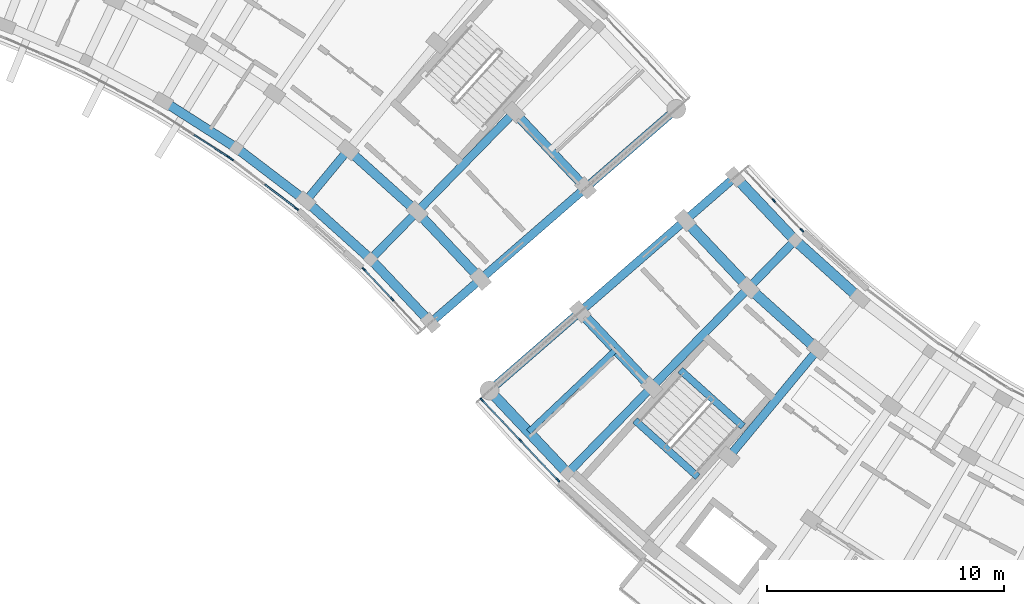
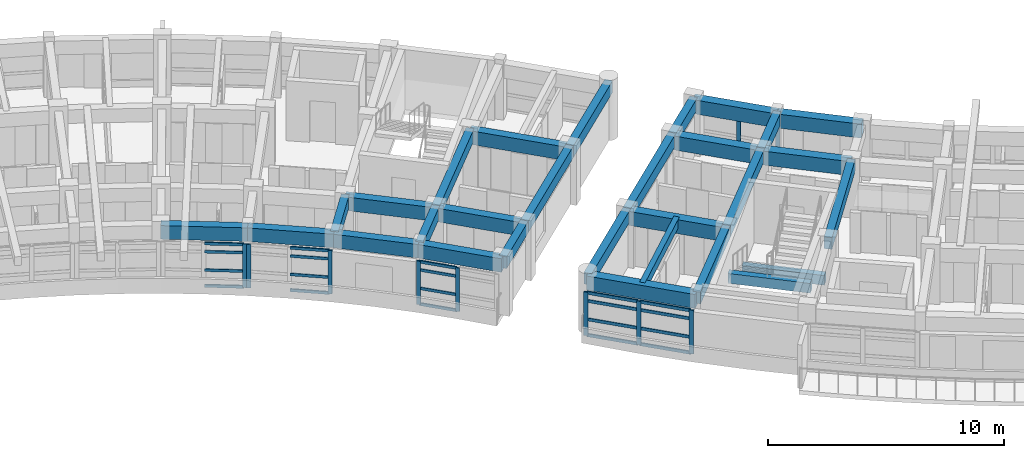
# One storey, part 10 of 55: 30 members, 29 beams, 5 elements without a shape of their own.
"""IFC4 building model written with IfcOpenShell, lengths in metres."""

from ifc_helpers import new_model, si_unit, direction, frame, origin, origin_2d, place, context, subcontext, project, spatial, rectangle, extrude, material, material_profile, profile_set, type_object, element, aggregate, save


model = new_model("IFC4")

# Units and contexts
model_context = context("Model", 3, precision=1e-05, world=origin(), true_north=direction((0.0, 1.0)))
body_context = subcontext(model_context, "Body", "Model", "MODEL_VIEW")
ifc_project = project(units=[si_unit("LENGTHUNIT", "METRE"), si_unit("AREAUNIT", "SQUARE_METRE"), si_unit("VOLUMEUNIT", "CUBIC_METRE"), si_unit("PLANEANGLEUNIT", "RADIAN"), si_unit("MASSUNIT", "GRAM", prefix="KILO")], contexts=[model_context])

# Site, building, storey
site_placement = place(None, origin())
site = spatial("IfcSite", under=ifc_project, at=site_placement, CompositionType="ELEMENT")
building_placement = place(site_placement, origin())
building = spatial("IfcBuilding", under=site, at=building_placement, Name="Zimvara Arc Housing Community", CompositionType="ELEMENT")
storey_placement = place(building_placement, frame((0.0, 0.0, 14.300048828125)))
storey = spatial("IfcBuildingStorey", under=building, at=storey_placement, Name="L04", CompositionType="ELEMENT", Elevation=14.300048828125)

# Beams
ifc_material_1 = material(Name="Concrete C40/50", Category="concrete")
ifc_material_profile_1 = material_profile(ifc_material_1, rectangle(XDim=0.25, YDim=0.449951171875, at=origin_2d()), Name="RC 250x450")
ifc_profile_set_1 = profile_set([ifc_material_profile_1], Name="Concrete C40/50")
beam_type_1 = type_object("IfcBeamType", Name="BM-RC-250x450", PredefinedType="JOIST", material=ifc_profile_set_1)
beam_1_placement = place(storey_placement, frame((86.88427734375, 72.966552734375, 2.635009765625), z_axis=(-0.727299876429, -0.686319815936, 0.0), x_axis=(0.686319815936, -0.727299876429, 0.0)))
element("IfcBeam", 1, at=beam_1_placement, inside=storey, type_object=beam_type_1, Name="bm:blkC:L04:joist:b0", PredefinedType="JOIST", context=body_context, shape_type="SweptSolid", body=[
    extrude(rectangle(XDim=0.25, YDim=0.449951171875, at=origin_2d()), origin(), (0.0, 0.0, 1.0), 5.075927734375),
])
ifc_material_2 = material(Name="Concrete C40/50", Category="concrete")
ifc_material_profile_2 = material_profile(ifc_material_2, rectangle(XDim=0.300048828125, YDim=0.5, at=origin_2d()), Name="RC 300x500")
ifc_profile_set_2 = profile_set([ifc_material_profile_2], Name="Concrete C40/50")
beam_type_2 = type_object("IfcBeamType", Name="BM-RC-300x500", PredefinedType="BEAM", material=ifc_profile_set_2)
beam_2_placement = place(storey_placement, frame((89.604248046875, 72.100830078125, -0.25), z_axis=(0.743396155404, -0.668851370732, 0.0), x_axis=(0.668851370732, 0.743396155404, 0.0)))
element("IfcBeam", 2, at=beam_2_placement, inside=storey, type_object=beam_type_2, Name="bm:stair_trim:ST-C1:L04:near", PredefinedType="BEAM", context=body_context, shape_type="SweptSolid", body=[
    extrude(rectangle(XDim=0.300048828125, YDim=0.5, at=origin_2d()), origin(), (0.0, 0.0, 1.0), 3.56982421875),
])
beam_3_placement = place(storey_placement, frame((87.68994140625, 69.973388671875, 1.300048828125), z_axis=(0.743362151162, -0.668889162881, 0.0), x_axis=(0.668889162881, 0.743362151162, 0.0)))
element("IfcBeam", 3, at=beam_3_placement, inside=storey, type_object=beam_type_2, Name="bm:stair_trim:ST-C1:L04:mid", PredefinedType="BEAM", context=body_context, shape_type="SweptSolid", body=[
    extrude(rectangle(XDim=0.300048828125, YDim=0.5, at=origin_2d()), origin(), (0.0, 0.0, 1.0), 3.570068359375),
])
ifc_material_3 = material(Name="Concrete C40/50", Category="concrete")
ifc_material_profile_3 = material_profile(ifc_material_3, rectangle(XDim=0.35009765625, YDim=0.60009765625, at=origin_2d()), Name="RC 350x600")
ifc_profile_set_3 = profile_set([ifc_material_profile_3], Name="Concrete C40/50")
beam_type_3 = type_object("IfcBeamType", Name="BM-RC-350x600", PredefinedType="BEAM", material=ifc_profile_set_3)
for number, where, z_axis, x_axis, name in (
    (4, (73.784912109375, 79.245361328125, 2.56005859375), (0.637917412223, 0.770104781951, 0.0), (-0.770104781951, 0.637917412223, 0.0), "bm:blkB:L04:rad:b8:r01"),
    (5, (76.523681640625, 76.781005859375, 2.56005859375), (0.698643013894, 0.71547043205, 0.0), (-0.71547043205, 0.698643013894, 0.0), "bm:blkB:L04:rad:b9:r01"),
):
    element("IfcBeam", number, at=place(storey_placement, frame(where, z_axis=z_axis, x_axis=x_axis)), inside=storey, type_object=beam_type_3, Name=name, PredefinedType="BEAM", context=body_context, shape_type="SweptSolid", body=[
        extrude(rectangle(XDim=0.35009765625, YDim=0.60009765625, at=origin_2d()), origin(), (0.0, 0.0, 1.0), 2.800048828125),
    ])
beam_4_placement = place(storey_placement, frame((78.47998046875, 78.784423828125, 2.56005859375), z_axis=(0.698669844288, 0.715444231707, 0.0), x_axis=(-0.715444231707, 0.698669844288, 0.0)))
element("IfcBeam", 6, at=beam_4_placement, inside=storey, type_object=beam_type_3, Name="bm:blkB:L04:rad:b9:r12", PredefinedType="BEAM", context=body_context, shape_type="SweptSolid", body=[
    extrude(rectangle(XDim=0.35009765625, YDim=0.60009765625, at=origin_2d()), origin(), (0.0, 0.0, 1.0), 5.8798828125),
])
beam_5_placement = place(storey_placement, frame((79.052490234375, 74.101318359375, 2.56005859375), z_axis=(0.754733151583, 0.656031912259, 0.0), x_axis=(-0.656031912259, 0.754733151583, 0.0)))
element("IfcBeam", 7, at=beam_5_placement, inside=storey, type_object=beam_type_3, Name="bm:blkB:L04:rad:b10:r01", PredefinedType="BEAM", context=body_context, shape_type="SweptSolid", body=[
    extrude(rectangle(XDim=0.35009765625, YDim=0.60009765625, at=origin_2d()), origin(), (0.0, 0.0, 1.0), 2.800048828125),
])
beam_6_placement = place(storey_placement, frame((81.165771484375, 75.938232421875, 2.56005859375), z_axis=(0.754692223258, 0.656078995362, 0.0), x_axis=(-0.656078995362, 0.754692223258, 0.0)))
element("IfcBeam", 8, at=beam_6_placement, inside=storey, type_object=beam_type_3, Name="bm:blkB:L04:rad:b10:r12", PredefinedType="BEAM", context=body_context, shape_type="SweptSolid", body=[
    extrude(rectangle(XDim=0.35009765625, YDim=0.60009765625, at=origin_2d()), origin(), (0.0, 0.0, 1.0), 5.8798828125),
])
beam_7_placement = place(storey_placement, frame((85.603271484375, 79.7958984375, 2.56005859375), z_axis=(0.754716217499, 0.656051393599, 0.0), x_axis=(-0.656051393599, 0.754716217499, 0.0)))
element("IfcBeam", 9, at=beam_7_placement, inside=storey, type_object=beam_type_3, Name="bm:blkB:L04:rad:b10:r23", PredefinedType="BEAM", context=body_context, shape_type="SweptSolid", body=[
    extrude(rectangle(XDim=0.35009765625, YDim=0.60009765625, at=origin_2d()), origin(), (0.0, 0.0, 1.0), 5.080078125),
])
beam_8_placement = place(storey_placement, frame((91.927490234375, 80.258544921875, 2.56005859375), z_axis=(-0.754733151583, -0.656031912259, 0.0), x_axis=(0.656031912259, -0.754733151583, 0.0)))
element("IfcBeam", 10, at=beam_8_placement, inside=storey, type_object=beam_type_3, Name="bm:blkC:L04:rad:b0:r01", PredefinedType="BEAM", context=body_context, shape_type="SweptSolid", body=[
    extrude(rectangle(XDim=0.35009765625, YDim=0.60009765625, at=origin_2d()), origin(), (0.0, 0.0, 1.0), 2.800048828125),
])
beam_9_placement = place(storey_placement, frame((89.814208984375, 78.421630859375, 2.56005859375), z_axis=(-0.754692223258, -0.656078995362, 0.0), x_axis=(0.656078995362, -0.754692223258, 0.0)))
element("IfcBeam", 11, at=beam_9_placement, inside=storey, type_object=beam_type_3, Name="bm:blkC:L04:rad:b0:r12", PredefinedType="BEAM", context=body_context, shape_type="SweptSolid", body=[
    extrude(rectangle(XDim=0.35009765625, YDim=0.60009765625, at=origin_2d()), origin(), (0.0, 0.0, 1.0), 5.8798828125),
])
beam_10_placement = place(storey_placement, frame((85.376708984375, 74.56396484375, 2.56005859375), z_axis=(-0.754716217499, -0.656051393599, 0.0), x_axis=(0.656051393599, -0.754716217499, 0.0)))
element("IfcBeam", 12, at=beam_10_placement, inside=storey, type_object=beam_type_3, Name="bm:blkC:L04:rad:b0:r23", PredefinedType="BEAM", context=body_context, shape_type="SweptSolid", body=[
    extrude(rectangle(XDim=0.35009765625, YDim=0.60009765625, at=origin_2d()), origin(), (0.0, 0.0, 1.0), 5.080078125),
])
beam_11_placement = place(storey_placement, frame((94.456298828125, 77.578857421875, 2.56005859375), z_axis=(-0.69868659732, -0.715427871085, 0.0), x_axis=(0.715427871085, -0.69868659732, 0.0)))
element("IfcBeam", 13, at=beam_11_placement, inside=storey, type_object=beam_type_3, Name="bm:blkC:L04:rad:b1:r01", PredefinedType="BEAM", context=body_context, shape_type="SweptSolid", body=[
    extrude(rectangle(XDim=0.35009765625, YDim=0.60009765625, at=origin_2d()), origin(), (0.0, 0.0, 1.0), 2.800048828125),
])
beam_12_placement = place(storey_placement, frame((92.5, 75.57568359375, 2.56005859375), z_axis=(-0.698669844288, -0.715444231707, 0.0), x_axis=(0.715444231707, -0.698669844288, 0.0)))
element("IfcBeam", 14, at=beam_12_placement, inside=storey, type_object=beam_type_3, Name="bm:blkC:L04:rad:b1:r12", PredefinedType="BEAM", context=body_context, shape_type="SweptSolid", body=[
    extrude(rectangle(XDim=0.35009765625, YDim=0.60009765625, at=origin_2d()), origin(), (0.0, 0.0, 1.0), 5.8798828125),
])
beam_13_placement = place(storey_placement, frame((88.391845703125, 71.368896484375, 2.56005859375), z_axis=(-0.698670885014, -0.71544321538, 0.0), x_axis=(0.71544321538, -0.698670885014, 0.0)))
element("IfcBeam", 15, at=beam_13_placement, inside=storey, type_object=beam_type_3, Name="bm:blkC:L04:rad:b1:r23", PredefinedType="BEAM", context=body_context, shape_type="SweptSolid", body=[
    extrude(rectangle(XDim=0.35009765625, YDim=0.60009765625, at=origin_2d()), origin(), (0.0, 0.0, 1.0), 5.080078125),
])
beam_14_placement = place(storey_placement, frame((95.408935546875, 72.958251953125, 2.56005859375), z_axis=(-0.637976362518, -0.770055946583, 0.0), x_axis=(0.770055946583, -0.637976362518, 0.0)))
element("IfcBeam", 16, at=beam_14_placement, inside=storey, type_object=beam_type_3, Name="bm:blkC:L04:rad:b2:r12", PredefinedType="BEAM", context=body_context, shape_type="SweptSolid", body=[
    extrude(rectangle(XDim=0.35009765625, YDim=0.60009765625, at=origin_2d()), origin(), (0.0, 0.0, 1.0), 5.8798828125),
])
ifc_material_4 = material(Name="Concrete C40/50", Category="concrete")
ifc_material_profile_4 = material_profile(ifc_material_4, rectangle(XDim=0.39990234375, YDim=0.699951171875, at=origin_2d()), Name="RC 400x700")
ifc_profile_set_4 = profile_set([ifc_material_profile_4], Name="Concrete C40/50")
beam_type_4 = type_object("IfcBeamType", Name="BM-RC-400x700", PredefinedType="BEAM", material=ifc_profile_set_4)
beam_15_placement = place(storey_placement, frame((67.750732421875, 83.46435546875, 2.510009765625), z_axis=(0.842272604079, -0.539051816079, 0.0), x_axis=(0.539051816079, 0.842272604079, 0.0)))
element("IfcBeam", 17, at=beam_15_placement, inside=storey, type_object=beam_type_4, Name="bm:blkB:L04:chord:r0:b6", PredefinedType="BEAM", context=body_context, shape_type="SweptSolid", body=[
    extrude(rectangle(XDim=0.39990234375, YDim=0.699951171875, at=origin_2d()), origin(), (0.0, 0.0, 1.0), 3.684326171875),
])
beam_16_placement = place(storey_placement, frame((70.85400390625, 81.478271484375, 2.510009765625), z_axis=(0.795453014049, -0.606015265847, 0.0), x_axis=(0.606015265847, 0.795453014049, 0.0)))
element("IfcBeam", 18, at=beam_16_placement, inside=storey, type_object=beam_type_4, Name="bm:blkB:L04:chord:r0:b7", PredefinedType="BEAM", context=body_context, shape_type="SweptSolid", body=[
    extrude(rectangle(XDim=0.39990234375, YDim=0.699951171875, at=origin_2d()), origin(), (0.0, 0.0, 1.0), 3.6845703125),
])
beam_17_placement = place(storey_placement, frame((73.784912109375, 79.245361328125, 2.510009765625), z_axis=(0.743366631239, -0.668884183966, 0.0), x_axis=(0.668884183966, 0.743366631239, 0.0)))
element("IfcBeam", 19, at=beam_17_placement, inside=storey, type_object=beam_type_4, Name="bm:blkB:L04:chord:r0:b8", PredefinedType="BEAM", context=body_context, shape_type="SweptSolid", body=[
    extrude(rectangle(XDim=0.39990234375, YDim=0.699951171875, at=origin_2d()), origin(), (0.0, 0.0, 1.0), 3.684326171875),
])
beam_18_placement = place(storey_placement, frame((76.523681640625, 76.781005859375, 2.510009765625), z_axis=(0.686335517678, -0.727285059088, 0.0), x_axis=(0.727285059088, 0.686335517678, 0.0)))
element("IfcBeam", 20, at=beam_18_placement, inside=storey, type_object=beam_type_4, Name="bm:blkB:L04:chord:r0:b9", PredefinedType="BEAM", context=body_context, shape_type="SweptSolid", body=[
    extrude(rectangle(XDim=0.39990234375, YDim=0.699951171875, at=origin_2d()), origin(), (0.0, 0.0, 1.0), 3.6845703125),
])
beam_19_placement = place(storey_placement, frame((75.571044921875, 81.401611328125, 2.510009765625), z_axis=(0.743402719516, -0.668844074965, 0.0), x_axis=(0.668844074965, 0.743402719516, 0.0)))
element("IfcBeam", 21, at=beam_19_placement, inside=storey, type_object=beam_type_4, Name="bm:blkB:L04:chord:r1:b8", PredefinedType="BEAM", context=body_context, shape_type="SweptSolid", body=[
    extrude(rectangle(XDim=0.39990234375, YDim=0.699951171875, at=origin_2d()), origin(), (0.0, 0.0, 1.0), 3.9130859375),
])
beam_20_placement = place(storey_placement, frame((78.47998046875, 78.784423828125, 2.510009765625), z_axis=(0.686315710793, -0.727303750243, 0.0), x_axis=(0.727303750243, 0.686315710793, 0.0)))
element("IfcBeam", 22, at=beam_20_placement, inside=storey, type_object=beam_type_4, Name="bm:blkB:L04:chord:r1:b9", PredefinedType="BEAM", context=body_context, shape_type="SweptSolid", body=[
    extrude(rectangle(XDim=0.39990234375, YDim=0.699951171875, at=origin_2d()), origin(), (0.0, 0.0, 1.0), 3.913330078125),
])
beam_21_placement = place(storey_placement, frame((82.588134765625, 82.9912109375, 2.510009765625), z_axis=(0.686303637813, -0.727315142648, 0.0), x_axis=(0.727315142648, 0.686303637813, 0.0)))
element("IfcBeam", 23, at=beam_21_placement, inside=storey, type_object=beam_type_4, Name="bm:blkB:L04:chord:r2:b9", PredefinedType="BEAM", context=body_context, shape_type="SweptSolid", body=[
    extrude(rectangle(XDim=0.39990234375, YDim=0.699951171875, at=origin_2d()), origin(), (0.0, 0.0, 1.0), 4.393310546875),
])
ifc_material_5 = material(Name="Concrete C40/50", Category="concrete")
ifc_material_profile_5 = material_profile(ifc_material_5, rectangle(XDim=0.43994140625, YDim=0.719970703125, at=origin_2d()), Name="RC 440x720")
ifc_profile_set_5 = profile_set([ifc_material_profile_5], Name="Concrete C40/50")
beam_type_5 = type_object("IfcBeamType", Name="BM-RC-440x720", PredefinedType="BEAM", material=ifc_profile_set_5)
beam_22_placement = place(storey_placement, frame((91.927490234375, 80.258544921875, 2.5), z_axis=(0.686335517678, -0.727285059088, 0.0), x_axis=(0.727285059088, 0.686335517678, 0.0)))
element("IfcBeam", 24, at=beam_22_placement, inside=storey, type_object=beam_type_5, Name="bm:blkC:L04:chord:r0:b0", PredefinedType="BEAM", context=body_context, shape_type="SweptSolid", body=[
    extrude(rectangle(XDim=0.43994140625, YDim=0.719970703125, at=origin_2d()), origin(), (0.0, 0.0, 1.0), 3.6845703125),
])
beam_23_placement = place(storey_placement, frame((94.456298828125, 77.578857421875, 2.5), z_axis=(0.743366631239, -0.668884183966, 0.0), x_axis=(0.668884183966, 0.743366631239, 0.0)))
element("IfcBeam", 25, at=beam_23_placement, inside=storey, type_object=beam_type_5, Name="bm:blkC:L04:chord:r0:b1", PredefinedType="BEAM", context=body_context, shape_type="SweptSolid", body=[
    extrude(rectangle(XDim=0.43994140625, YDim=0.719970703125, at=origin_2d()), origin(), (0.0, 0.0, 1.0), 3.684326171875),
])
for number, where, z_axis, x_axis, name in (
    (26, (89.814208984375, 78.421630859375, 2.5), (0.686346852505, -0.727274362299, 0.0), (0.727274362299, 0.686346852505, 0.0), "bm:blkC:L04:chord:r1:b0"),
    (27, (92.5, 75.57568359375, 2.5), (0.743371697344, -0.668878553691, 0.0), (0.668878553691, 0.743371697344, 0.0), "bm:blkC:L04:chord:r1:b1"),
):
    element("IfcBeam", number, at=place(storey_placement, frame(where, z_axis=z_axis, x_axis=x_axis)), inside=storey, type_object=beam_type_5, Name=name, PredefinedType="BEAM", context=body_context, shape_type="SweptSolid", body=[
        extrude(rectangle(XDim=0.43994140625, YDim=0.719970703125, at=origin_2d()), origin(), (0.0, 0.0, 1.0), 3.9130859375),
    ])
beam_24_placement = place(storey_placement, frame((85.376708984375, 74.56396484375, 2.5), z_axis=(0.686331377274, -0.727288966347, 0.0), x_axis=(0.727288966347, 0.686331377274, 0.0)))
element("IfcBeam", 28, at=beam_24_placement, inside=storey, type_object=beam_type_5, Name="bm:blkC:L04:chord:r2:b0", PredefinedType="BEAM", context=body_context, shape_type="SweptSolid", body=[
    extrude(rectangle(XDim=0.43994140625, YDim=0.719970703125, at=origin_2d()), origin(), (0.0, 0.0, 1.0), 4.39306640625),
])
beam_25_placement = place(storey_placement, frame((81.542724609375, 71.231201171875, 2.5), z_axis=(0.686320791145, -0.727298956168, 0.0), x_axis=(0.727298956168, 0.686320791145, 0.0)))
element("IfcBeam", 29, at=beam_25_placement, inside=storey, type_object=beam_type_5, Name="bm:blkC:L04:chord:r3:b0", PredefinedType="BEAM", context=body_context, shape_type="SweptSolid", body=[
    extrude(rectangle(XDim=0.43994140625, YDim=0.719970703125, at=origin_2d()), origin(), (0.0, 0.0, 1.0), 4.807861328125),
])

# Curtain wall, member
ifc_material_6 = material(Name="Anodised Aluminium AW-6063", Category="aluminium")
curtain_wall_type_1 = type_object("IfcCurtainWallType", Name="CW-SYS-06", PredefinedType="USERDEFINED", material=ifc_material_6)
curtain_wall_1_placement = place(storey_placement, origin())
curtain_wall_1 = element("IfcCurtainWall", 30, at=curtain_wall_1_placement, inside=storey, type_object=curtain_wall_type_1, Name="cw:blkB:L04:in:b6", ObjectType="CURTAIN WALL", PredefinedType="USERDEFINED")
ifc_material_7 = material(Name="Anodised Aluminium AW-6063", Category="aluminium")
ifc_material_profile_6 = material_profile(ifc_material_7, rectangle(XDim=0.06494140625, YDim=0.179931640625, at=origin_2d()), Name="ALU 65x180")
ifc_profile_set_6 = profile_set([ifc_material_profile_6], Name="Anodised Aluminium AW-6063")
member_type_1 = type_object("IfcMemberType", Name="CWM-65x150", PredefinedType="MULLION", material=ifc_profile_set_6)
member_1_placement = place(storey_placement, frame((70.489501953125, 81.118408203125, 0.0), z_axis=(0.0, 0.0, 1.0), x_axis=(0.539064085203, 0.842264751752, 0.0)))
member_1 = element("IfcMember", 31, at=member_1_placement, type_object=member_type_1, Name="CW06 mullion 3", PredefinedType="MULLION", context=body_context, shape_type="SweptSolid", body=[
    extrude(rectangle(XDim=0.06494140625, YDim=0.179931640625, at=origin_2d()), origin(), (0.0, 0.0, 1.0), 2.25),
])

# Curtain wall, members
ifc_material_8 = material(Name="Anodised Aluminium AW-6063", Category="aluminium")
curtain_wall_type_2 = type_object("IfcCurtainWallType", Name="CW-SYS-08", PredefinedType="USERDEFINED", material=ifc_material_8)
curtain_wall_2_placement = place(storey_placement, origin())
curtain_wall_2 = element("IfcCurtainWall", 32, at=curtain_wall_2_placement, inside=storey, type_object=curtain_wall_type_2, Name="cw:blkB:L04:in:b7", ObjectType="CURTAIN WALL", PredefinedType="USERDEFINED")
member_2_placement = place(storey_placement, frame((70.64111328125, 81.012451171875, 0.0), z_axis=(0.0, 0.0, 1.0), x_axis=(0.605988318533, 0.795473543119, 0.0)))
member_2 = element("IfcMember", 33, at=member_2_placement, type_object=member_type_1, Name="CW08 mullion 1", PredefinedType="MULLION", context=body_context, shape_type="SweptSolid", body=[
    extrude(rectangle(XDim=0.06494140625, YDim=0.179931640625, at=origin_2d()), origin(), (0.0, 0.0, 1.0), 2.25),
])
member_3_placement = place(storey_placement, frame((73.392333984375, 78.91650390625, 0.0), z_axis=(0.0, 0.0, 1.0), x_axis=(0.605988318533, 0.795473543119, 0.0)))
member_3 = element("IfcMember", 34, at=member_3_placement, type_object=member_type_1, Name="CW08 mullion 3", PredefinedType="MULLION", context=body_context, shape_type="SweptSolid", body=[
    extrude(rectangle(XDim=0.06494140625, YDim=0.179931640625, at=origin_2d()), origin(), (0.0, 0.0, 1.0), 2.25),
])

ifc_material_9 = material(Name="Anodised Aluminium AW-6063", Category="aluminium")
curtain_wall_type_3 = type_object("IfcCurtainWallType", Name="CW-SYS-02", PredefinedType="USERDEFINED", material=ifc_material_9)
curtain_wall_3_placement = place(storey_placement, origin())
curtain_wall_3 = element("IfcCurtainWall", 35, at=curtain_wall_3_placement, inside=storey, type_object=curtain_wall_type_3, Name="cw:blkB:L04:in:b9", ObjectType="CURTAIN WALL", PredefinedType="USERDEFINED")
member_4_placement = place(storey_placement, frame((76.238037109375, 76.35595703125, 0.0), z_axis=(0.0, 0.0, 1.0), x_axis=(0.727293280483, 0.686326805658, 0.0)))
member_4 = element("IfcMember", 36, at=member_4_placement, type_object=member_type_1, Name="CW02 mullion 1", PredefinedType="MULLION", context=body_context, shape_type="SweptSolid", body=[
    extrude(rectangle(XDim=0.06494140625, YDim=0.179931640625, at=origin_2d()), origin(), (0.0, 0.0, 1.0), 2.25),
])
member_5_placement = place(storey_placement, frame((77.4248046875, 75.098388671875, 0.0), z_axis=(0.0, 0.0, 1.0), x_axis=(0.727293280483, 0.686326805658, 0.0)))
member_5 = element("IfcMember", 37, at=member_5_placement, type_object=member_type_1, Name="CW02 mullion 2", PredefinedType="MULLION", context=body_context, shape_type="SweptSolid", body=[
    extrude(rectangle(XDim=0.06494140625, YDim=0.179931640625, at=origin_2d()), origin(), (0.0, 0.0, 1.0), 2.25),
])

curtain_wall_4_placement = place(storey_placement, origin())
curtain_wall_4 = element("IfcCurtainWall", 38, at=curtain_wall_4_placement, inside=storey, type_object=curtain_wall_type_3, Name="cw:blkC:L04:in:b0", ObjectType="CURTAIN WALL", PredefinedType="USERDEFINED")
member_6_placement = place(storey_placement, frame((93.55517578125, 79.26171875, 0.0), z_axis=(0.0, 0.0, 1.0), x_axis=(0.727293280483, 0.686326805658, 0.0)))
member_6 = element("IfcMember", 39, at=member_6_placement, type_object=member_type_1, Name="CW02 mullion 2", PredefinedType="MULLION", context=body_context, shape_type="SweptSolid", body=[
    extrude(rectangle(XDim=0.06494140625, YDim=0.179931640625, at=origin_2d()), origin(), (0.0, 0.0, 1.0), 2.25),
])
member_7_placement = place(storey_placement, frame((94.7421875, 78.00390625, 0.0), z_axis=(0.0, 0.0, 1.0), x_axis=(0.727293280483, 0.686326805658, 0.0)))
member_7 = element("IfcMember", 40, at=member_7_placement, type_object=member_type_1, Name="CW02 mullion 3", PredefinedType="MULLION", context=body_context, shape_type="SweptSolid", body=[
    extrude(rectangle(XDim=0.06494140625, YDim=0.179931640625, at=origin_2d()), origin(), (0.0, 0.0, 1.0), 2.25),
])
aggregate(curtain_wall_4, [member_6, member_7])

ifc_material_10 = material(Name="Anodised Aluminium AW-6063", Category="aluminium")
curtain_wall_type_4 = type_object("IfcCurtainWallType", Name="CW-SYS-01", PredefinedType="USERDEFINED", material=ifc_material_10)
curtain_wall_5_placement = place(storey_placement, origin())
curtain_wall_5 = element("IfcCurtainWall", 41, at=curtain_wall_5_placement, inside=storey, type_object=curtain_wall_type_4, Name="cw:blkC:L04:out:b0", ObjectType="CURTAIN WALL", PredefinedType="USERDEFINED")
ifc_material_11 = material(Name="Anodised Aluminium AW-6063", Category="aluminium")
ifc_material_profile_7 = material_profile(ifc_material_11, rectangle(XDim=0.06494140625, YDim=0.195068359375, at=origin_2d()), Name="ALU 65x195")
ifc_profile_set_7 = profile_set([ifc_material_profile_7], Name="Anodised Aluminium AW-6063")
member_type_2 = type_object("IfcMemberType", Name="CWM-65x180", PredefinedType="MULLION", material=ifc_profile_set_7)
member_8_placement = place(storey_placement, frame((81.228759765625, 70.8359375, 0.0), z_axis=(0.0, 0.0, 1.0), x_axis=(0.727293647725, 0.686326416495, 0.0)))
member_8 = element("IfcMember", 42, at=member_8_placement, type_object=member_type_2, Name="CW01 mullion 1", PredefinedType="MULLION", context=body_context, shape_type="SweptSolid", body=[
    extrude(rectangle(XDim=0.06494140625, YDim=0.195068359375, at=origin_2d()), origin(), (0.0, 0.0, 1.0), 2.25),
])
member_9_placement = place(storey_placement, frame((82.829345703125, 69.139892578125, 0.0), z_axis=(0.0, 0.0, 1.0), x_axis=(0.727293647725, 0.686326416495, 0.0)))
member_9 = element("IfcMember", 43, at=member_9_placement, type_object=member_type_2, Name="CW01 mullion 2", PredefinedType="MULLION", context=body_context, shape_type="SweptSolid", body=[
    extrude(rectangle(XDim=0.06494140625, YDim=0.195068359375, at=origin_2d()), origin(), (0.0, 0.0, 1.0), 2.25),
])
member_10_placement = place(storey_placement, frame((84.4296875, 67.44384765625, 0.0), z_axis=(0.0, 0.0, 1.0), x_axis=(0.727293647725, 0.686326416495, 0.0)))
member_10 = element("IfcMember", 44, at=member_10_placement, type_object=member_type_2, Name="CW01 mullion 3", PredefinedType="MULLION", context=body_context, shape_type="SweptSolid", body=[
    extrude(rectangle(XDim=0.06494140625, YDim=0.195068359375, at=origin_2d()), origin(), (0.0, 0.0, 1.0), 2.25),
])

# Member
ifc_material_12 = material(Name="Anodised Aluminium AW-6063", Category="aluminium")
ifc_material_profile_8 = material_profile(ifc_material_12, rectangle(XDim=0.06494140625, YDim=0.139892578125, at=origin_2d()), Name="ALU 65x140")
ifc_profile_set_8 = profile_set([ifc_material_profile_8], Name="Anodised Aluminium AW-6063")
member_type_3 = type_object("IfcMemberType", Name="CWT-65x120", PredefinedType="USERDEFINED", material=ifc_profile_set_8)
member_11_placement = place(storey_placement, frame((69.060302734375, 82.032958984375, 0.032470703125), z_axis=(0.842263408668, -0.539066183709, 0.0), x_axis=(0.539066183709, 0.842263408668, 0.0)))
member_11 = element("IfcMember", 45, at=member_11_placement, type_object=member_type_3, Name="CW06 transom 2.1", ObjectType="TRANSOM", PredefinedType="USERDEFINED", context=body_context, shape_type="SweptSolid", body=[
    extrude(rectangle(XDim=0.06494140625, YDim=0.139892578125, at=origin_2d()), origin(), (0.0, 0.0, 1.0), 1.664306640625),
])

member_12_placement = place(storey_placement, frame((69.060302734375, 82.032958984375, 0.849853515625), z_axis=(0.842263408668, -0.539066183709, 0.0), x_axis=(0.539066183709, 0.842263408668, 0.0)))
member_12 = element("IfcMember", 46, at=member_12_placement, type_object=member_type_3, Name="CW06 transom 2.2", ObjectType="TRANSOM", PredefinedType="USERDEFINED", context=body_context, shape_type="SweptSolid", body=[
    extrude(rectangle(XDim=0.06494140625, YDim=0.139892578125, at=origin_2d()), origin(), (0.0, 0.0, 1.0), 1.664306640625),
])

member_13_placement = place(storey_placement, frame((69.060302734375, 82.032958984375, 1.800048828125), z_axis=(0.842263408668, -0.539066183709, 0.0), x_axis=(0.539066183709, 0.842263408668, 0.0)))
member_13 = element("IfcMember", 47, at=member_13_placement, type_object=member_type_3, Name="CW06 transom 2.3", ObjectType="TRANSOM", PredefinedType="USERDEFINED", context=body_context, shape_type="SweptSolid", body=[
    extrude(rectangle(XDim=0.06494140625, YDim=0.139892578125, at=origin_2d()), origin(), (0.0, 0.0, 1.0), 1.664306640625),
])

member_14_placement = place(storey_placement, frame((69.060302734375, 82.032958984375, 2.217529296875), z_axis=(0.842263408668, -0.539066183709, 0.0), x_axis=(0.539066183709, 0.842263408668, 0.0)))
member_14 = element("IfcMember", 48, at=member_14_placement, type_object=member_type_3, Name="CW06 transom 2.4", ObjectType="TRANSOM", PredefinedType="USERDEFINED", context=body_context, shape_type="SweptSolid", body=[
    extrude(rectangle(XDim=0.06494140625, YDim=0.139892578125, at=origin_2d()), origin(), (0.0, 0.0, 1.0), 1.664306640625),
])

aggregate(curtain_wall_1, [member_1, member_11, member_12, member_13, member_14])

member_15_placement = place(storey_placement, frame((72.04248046875, 79.94482421875, 0.032470703125), z_axis=(0.795488960577, -0.605968079687, 0.0), x_axis=(0.605968079687, 0.795488960577, 0.0)))
member_15 = element("IfcMember", 49, at=member_15_placement, type_object=member_type_3, Name="CW08 transom 2.1", ObjectType="TRANSOM", PredefinedType="USERDEFINED", context=body_context, shape_type="SweptSolid", body=[
    extrude(rectangle(XDim=0.06494140625, YDim=0.139892578125, at=origin_2d()), origin(), (0.0, 0.0, 1.0), 1.664306640625),
])

member_16_placement = place(storey_placement, frame((72.04248046875, 79.94482421875, 0.849853515625), z_axis=(0.795488960577, -0.605968079687, 0.0), x_axis=(0.605968079687, 0.795488960577, 0.0)))
member_16 = element("IfcMember", 50, at=member_16_placement, type_object=member_type_3, Name="CW08 transom 2.2", ObjectType="TRANSOM", PredefinedType="USERDEFINED", context=body_context, shape_type="SweptSolid", body=[
    extrude(rectangle(XDim=0.06494140625, YDim=0.139892578125, at=origin_2d()), origin(), (0.0, 0.0, 1.0), 1.664306640625),
])

member_17_placement = place(storey_placement, frame((72.04248046875, 79.94482421875, 1.800048828125), z_axis=(0.795488960577, -0.605968079687, 0.0), x_axis=(0.605968079687, 0.795488960577, 0.0)))
member_17 = element("IfcMember", 51, at=member_17_placement, type_object=member_type_3, Name="CW08 transom 2.3", ObjectType="TRANSOM", PredefinedType="USERDEFINED", context=body_context, shape_type="SweptSolid", body=[
    extrude(rectangle(XDim=0.06494140625, YDim=0.139892578125, at=origin_2d()), origin(), (0.0, 0.0, 1.0), 1.664306640625),
])

member_18_placement = place(storey_placement, frame((72.04248046875, 79.94482421875, 2.217529296875), z_axis=(0.795488960577, -0.605968079687, 0.0), x_axis=(0.605968079687, 0.795488960577, 0.0)))
member_18 = element("IfcMember", 52, at=member_18_placement, type_object=member_type_3, Name="CW08 transom 2.4", ObjectType="TRANSOM", PredefinedType="USERDEFINED", context=body_context, shape_type="SweptSolid", body=[
    extrude(rectangle(XDim=0.06494140625, YDim=0.139892578125, at=origin_2d()), origin(), (0.0, 0.0, 1.0), 1.664306640625),
])

aggregate(curtain_wall_2, [member_2, member_3, member_15, member_16, member_17, member_18])

member_19_placement = place(storey_placement, frame((76.26025390625, 76.33251953125, 0.032470703125), z_axis=(0.686347817597, -0.727273451516, 0.0), x_axis=(0.727273451516, 0.686347817597, 0.0)))
member_19 = element("IfcMember", 53, at=member_19_placement, type_object=member_type_3, Name="CW02 transom 1.1", ObjectType="TRANSOM", PredefinedType="USERDEFINED", context=body_context, shape_type="SweptSolid", body=[
    extrude(rectangle(XDim=0.06494140625, YDim=0.139892578125, at=origin_2d()), origin(), (0.0, 0.0, 1.0), 1.664306640625),
])

member_20_placement = place(storey_placement, frame((76.26025390625, 76.33251953125, 0.849853515625), z_axis=(0.686347817597, -0.727273451516, 0.0), x_axis=(0.727273451516, 0.686347817597, 0.0)))
member_20 = element("IfcMember", 54, at=member_20_placement, type_object=member_type_3, Name="CW02 transom 1.2", ObjectType="TRANSOM", PredefinedType="USERDEFINED", context=body_context, shape_type="SweptSolid", body=[
    extrude(rectangle(XDim=0.06494140625, YDim=0.139892578125, at=origin_2d()), origin(), (0.0, 0.0, 1.0), 1.664306640625),
])

member_21_placement = place(storey_placement, frame((76.26025390625, 76.33251953125, 1.800048828125), z_axis=(0.686347817597, -0.727273451516, 0.0), x_axis=(0.727273451516, 0.686347817597, 0.0)))
member_21 = element("IfcMember", 55, at=member_21_placement, type_object=member_type_3, Name="CW02 transom 1.3", ObjectType="TRANSOM", PredefinedType="USERDEFINED", context=body_context, shape_type="SweptSolid", body=[
    extrude(rectangle(XDim=0.06494140625, YDim=0.139892578125, at=origin_2d()), origin(), (0.0, 0.0, 1.0), 1.664306640625),
])

member_22_placement = place(storey_placement, frame((76.26025390625, 76.33251953125, 2.217529296875), z_axis=(0.686347817597, -0.727273451516, 0.0), x_axis=(0.727273451516, 0.686347817597, 0.0)))
member_22 = element("IfcMember", 56, at=member_22_placement, type_object=member_type_3, Name="CW02 transom 1.4", ObjectType="TRANSOM", PredefinedType="USERDEFINED", context=body_context, shape_type="SweptSolid", body=[
    extrude(rectangle(XDim=0.06494140625, YDim=0.139892578125, at=origin_2d()), origin(), (0.0, 0.0, 1.0), 1.664306640625),
])

aggregate(curtain_wall_3, [member_4, member_5, member_19, member_20, member_21, member_22])

ifc_material_13 = material(Name="Anodised Aluminium AW-6063", Category="aluminium")
ifc_material_profile_9 = material_profile(ifc_material_13, rectangle(XDim=0.06494140625, YDim=0.155029296875, at=origin_2d()), Name="ALU 65x155")
ifc_profile_set_9 = profile_set([ifc_material_profile_9], Name="Anodised Aluminium AW-6063")
member_type_4 = type_object("IfcMemberType", Name="CWT-65x140", PredefinedType="USERDEFINED", material=ifc_profile_set_9)
member_23_placement = place(storey_placement, frame((81.251220703125, 70.812255859375, 0.032470703125), z_axis=(0.68629138792, -0.727326701604, 0.0), x_axis=(0.727326701604, 0.68629138792, 0.0)))
member_23 = element("IfcMember", 57, at=member_23_placement, type_object=member_type_4, Name="CW01 transom 1.1", ObjectType="TRANSOM", PredefinedType="USERDEFINED", context=body_context, shape_type="SweptSolid", body=[
    extrude(rectangle(XDim=0.06494140625, YDim=0.155029296875, at=origin_2d()), origin(), (0.0, 0.0, 1.0), 2.266845703125),
])

member_24_placement = place(storey_placement, frame((81.251220703125, 70.812255859375, 0.849853515625), z_axis=(0.68629138792, -0.727326701604, 0.0), x_axis=(0.727326701604, 0.68629138792, 0.0)))
member_24 = element("IfcMember", 58, at=member_24_placement, type_object=member_type_4, Name="CW01 transom 1.2", ObjectType="TRANSOM", PredefinedType="USERDEFINED", context=body_context, shape_type="SweptSolid", body=[
    extrude(rectangle(XDim=0.06494140625, YDim=0.155029296875, at=origin_2d()), origin(), (0.0, 0.0, 1.0), 2.266845703125),
])

member_25_placement = place(storey_placement, frame((81.251220703125, 70.812255859375, 1.800048828125), z_axis=(0.68629138792, -0.727326701604, 0.0), x_axis=(0.727326701604, 0.68629138792, 0.0)))
member_25 = element("IfcMember", 59, at=member_25_placement, type_object=member_type_4, Name="CW01 transom 1.3", ObjectType="TRANSOM", PredefinedType="USERDEFINED", context=body_context, shape_type="SweptSolid", body=[
    extrude(rectangle(XDim=0.06494140625, YDim=0.155029296875, at=origin_2d()), origin(), (0.0, 0.0, 1.0), 2.266845703125),
])

member_26_placement = place(storey_placement, frame((81.251220703125, 70.812255859375, 2.217529296875), z_axis=(0.68629138792, -0.727326701604, 0.0), x_axis=(0.727326701604, 0.68629138792, 0.0)))
member_26 = element("IfcMember", 60, at=member_26_placement, type_object=member_type_4, Name="CW01 transom 1.4", ObjectType="TRANSOM", PredefinedType="USERDEFINED", context=body_context, shape_type="SweptSolid", body=[
    extrude(rectangle(XDim=0.06494140625, YDim=0.155029296875, at=origin_2d()), origin(), (0.0, 0.0, 1.0), 2.266845703125),
])

member_27_placement = place(storey_placement, frame((82.8515625, 69.1162109375, 0.032470703125), z_axis=(0.686348357589, -0.727272941911, 0.0), x_axis=(0.727272941911, 0.686348357589, 0.0)))
member_27 = element("IfcMember", 61, at=member_27_placement, type_object=member_type_4, Name="CW01 transom 2.1", ObjectType="TRANSOM", PredefinedType="USERDEFINED", context=body_context, shape_type="SweptSolid", body=[
    extrude(rectangle(XDim=0.06494140625, YDim=0.155029296875, at=origin_2d()), origin(), (0.0, 0.0, 1.0), 2.266845703125),
])

member_28_placement = place(storey_placement, frame((82.8515625, 69.1162109375, 0.849853515625), z_axis=(0.686348357589, -0.727272941911, 0.0), x_axis=(0.727272941911, 0.686348357589, 0.0)))
member_28 = element("IfcMember", 62, at=member_28_placement, type_object=member_type_4, Name="CW01 transom 2.2", ObjectType="TRANSOM", PredefinedType="USERDEFINED", context=body_context, shape_type="SweptSolid", body=[
    extrude(rectangle(XDim=0.06494140625, YDim=0.155029296875, at=origin_2d()), origin(), (0.0, 0.0, 1.0), 2.266845703125),
])

member_29_placement = place(storey_placement, frame((82.8515625, 69.1162109375, 1.800048828125), z_axis=(0.686348357589, -0.727272941911, 0.0), x_axis=(0.727272941911, 0.686348357589, 0.0)))
member_29 = element("IfcMember", 63, at=member_29_placement, type_object=member_type_4, Name="CW01 transom 2.3", ObjectType="TRANSOM", PredefinedType="USERDEFINED", context=body_context, shape_type="SweptSolid", body=[
    extrude(rectangle(XDim=0.06494140625, YDim=0.155029296875, at=origin_2d()), origin(), (0.0, 0.0, 1.0), 2.266845703125),
])

member_30_placement = place(storey_placement, frame((82.8515625, 69.1162109375, 2.217529296875), z_axis=(0.686348357589, -0.727272941911, 0.0), x_axis=(0.727272941911, 0.686348357589, 0.0)))
member_30 = element("IfcMember", 64, at=member_30_placement, type_object=member_type_4, Name="CW01 transom 2.4", ObjectType="TRANSOM", PredefinedType="USERDEFINED", context=body_context, shape_type="SweptSolid", body=[
    extrude(rectangle(XDim=0.06494140625, YDim=0.155029296875, at=origin_2d()), origin(), (0.0, 0.0, 1.0), 2.266845703125),
])

aggregate(curtain_wall_5, [member_8, member_9, member_10, member_23, member_24, member_25, member_26, member_27, member_28, member_29, member_30])

save(model, "model.ifc")
